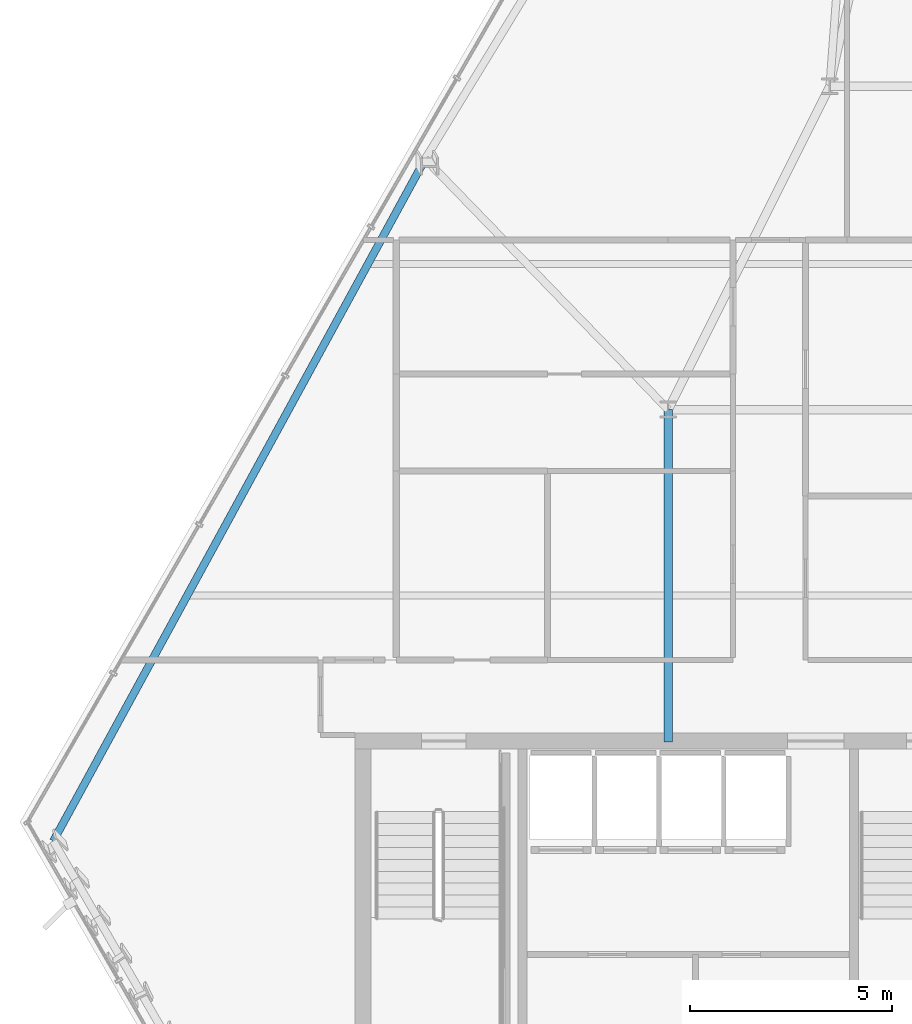
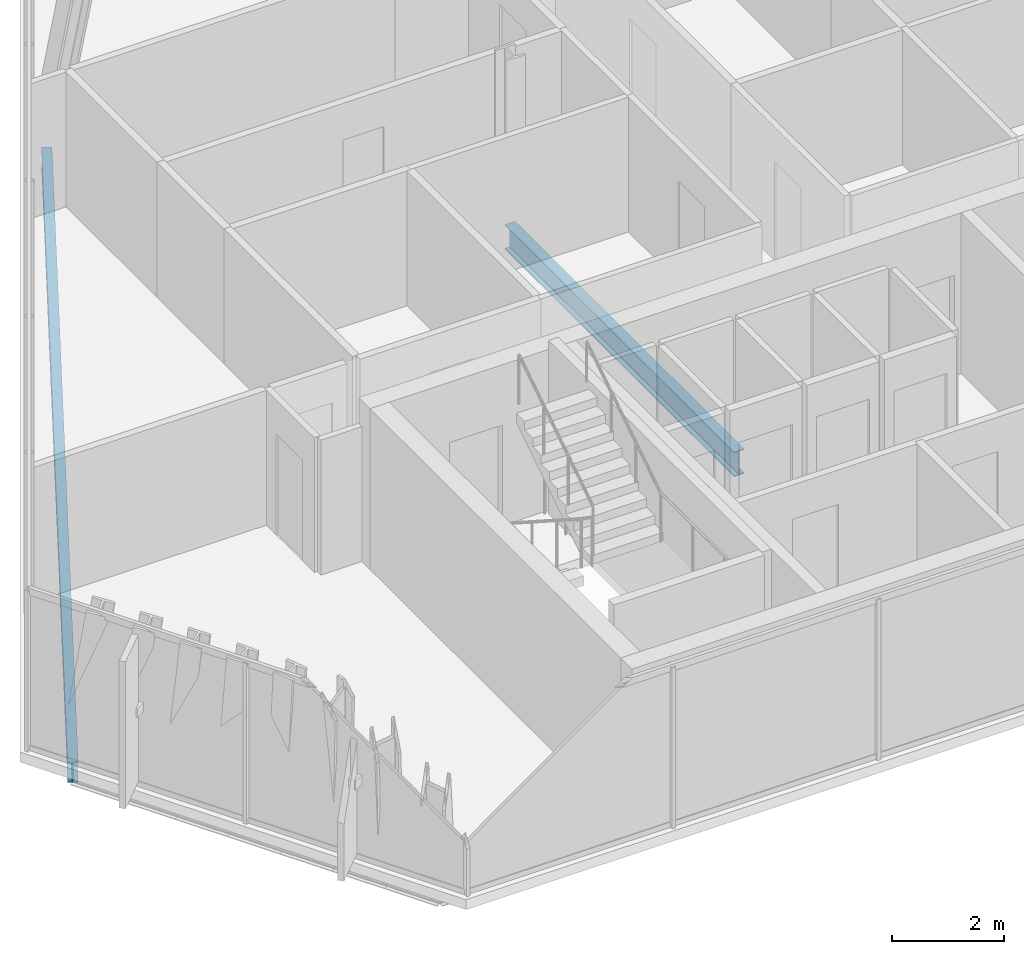
# One storey, part 5 of 34: 2 beams.
"""IFC4 building model written with IfcOpenShell, lengths in metres."""

from ifc_helpers import new_model, si_unit, direction, frame, origin, origin_2d, place, context, subcontext, project, spatial, i_section, extrude, material, material_profile, profile_set, type_object, element, save


model = new_model("IFC4")

# Units and contexts
model_context = context("Model", 3, precision=1e-05, world=origin(), true_north=direction((0.0, 1.0)))
body_context = subcontext(model_context, "Body", "Model", "MODEL_VIEW")
ifc_project = project(units=[si_unit("LENGTHUNIT", "METRE"), si_unit("AREAUNIT", "SQUARE_METRE"), si_unit("VOLUMEUNIT", "CUBIC_METRE"), si_unit("PLANEANGLEUNIT", "RADIAN"), si_unit("MASSUNIT", "GRAM", prefix="KILO")], contexts=[model_context])

# Site, building, storey
site_placement = place(None, origin())
site = spatial("IfcSite", under=ifc_project, at=site_placement, CompositionType="ELEMENT")
building_placement = place(site_placement, origin())
building = spatial("IfcBuilding", under=site, at=building_placement, Name="Ndaravel Arena Tower", CompositionType="ELEMENT")
storey_placement = place(building_placement, frame((0.0, 0.0, 199.199951171875)))
storey = spatial("IfcBuildingStorey", under=building, at=storey_placement, Name="L48", CompositionType="ELEMENT", Elevation=199.199951171875)

# Beams
ifc_material_1 = material(Name="Steel S355", Category="steel")
ifc_material_profile_1 = material_profile(ifc_material_1, i_section(OverallWidth=0.210693359375, OverallDepth=0.53955078125, WebThickness=0.01171875, FlangeThickness=0.018798828125, FilletRadius=0.0126953125, at=origin_2d()), Name="UB 533x210x109")
ifc_profile_set_1 = profile_set([ifc_material_profile_1], Name="Steel S355")
beam_type_1 = type_object("IfcBeamType", Name="BM-GIRD-UB533", PredefinedType="BEAM", material=ifc_profile_set_1)
beam_1_placement = place(storey_placement, frame((34.199951171875, 14.97998046875, -0.48974609375), z_axis=(0.0, 1.0, 0.0), x_axis=(-1.0, 0.0, 0.0)))
element("IfcBeam", 1, at=beam_1_placement, inside=storey, type_object=beam_type_1, Name="L48 Spine Link Girder SLG-01", PredefinedType="BEAM", context=body_context, shape_type="SweptSolid", body=[
    extrude(i_section(OverallWidth=0.210693359375, OverallDepth=0.53955078125, WebThickness=0.01171875, FlangeThickness=0.018798828125, FilletRadius=0.0126953125, at=origin_2d()), origin(), (0.0, 0.0, 1.0), 8.219970703125),
])
ifc_material_2 = material(Name="Steel S355", Category="steel")
ifc_material_profile_2 = material_profile(ifc_material_2, i_section(OverallWidth=0.18994140625, OverallDepth=0.449951171875, WebThickness=0.009521484375, FlangeThickness=0.0146484375, FilletRadius=0.02099609375, at=origin_2d()), Name="IPE 450")
ifc_profile_set_2 = profile_set([ifc_material_profile_2], Name="Steel S355")
beam_type_2 = type_object("IfcBeamType", Name="BM-SPAN-IPE450", PredefinedType="SPANDREL", material=ifc_profile_set_2)
beam_2_placement = place(storey_placement, frame((28.189697265625, 29.400146484375, -0.445068359375), z_axis=(-0.478681253649, -0.877988756992, 0.0), x_axis=(0.877988756992, -0.478681253649, 0.0)))
element("IfcBeam", 2, at=beam_2_placement, inside=storey, type_object=beam_type_2, Name="L48 Perimeter Spandrel Beam SP-19", PredefinedType="SPANDREL", context=body_context, shape_type="SweptSolid", body=[
    extrude(i_section(OverallWidth=0.18994140625, OverallDepth=0.449951171875, WebThickness=0.009521484375, FlangeThickness=0.0146484375, FilletRadius=0.02099609375, at=origin_2d()), origin(), (0.0, 0.0, 1.0), 19.220947265625),
])

save(model, "model.ifc")
